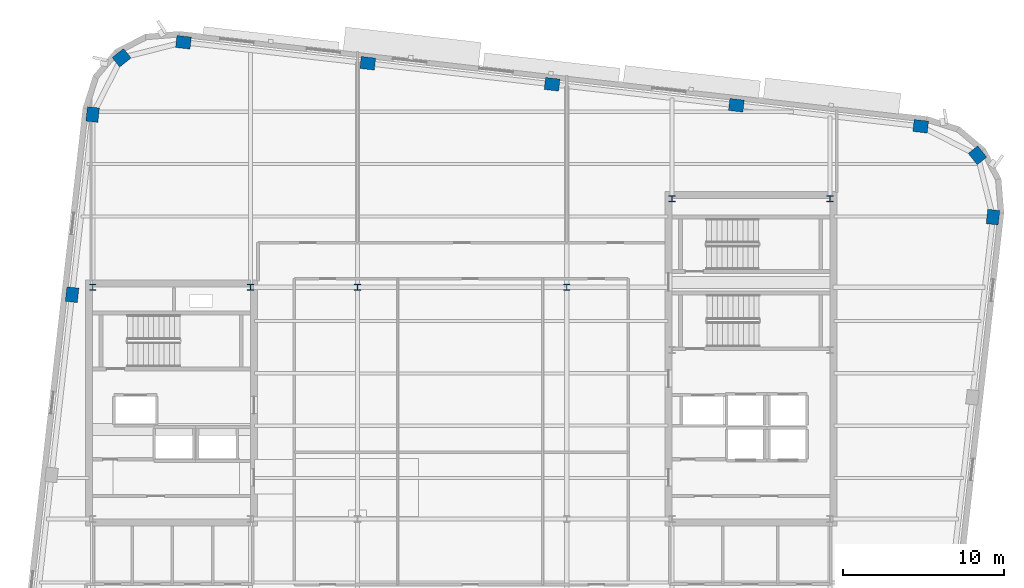
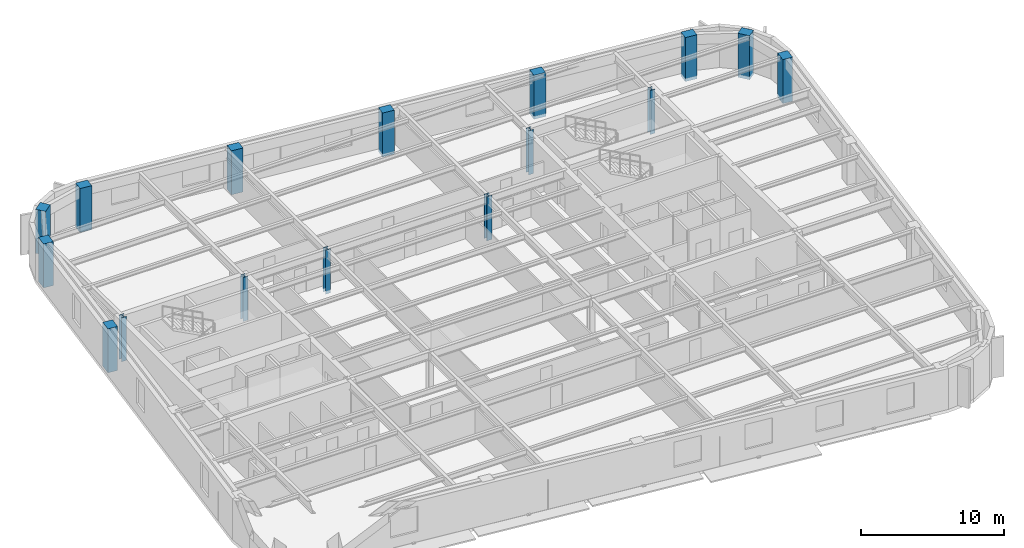
# One storey, part 2 of 14: 16 columns.
"""IFC4 building model written with IfcOpenShell, lengths in metres."""

from ifc_helpers import new_model, si_unit, direction, frame, origin, origin_2d, place, context, subcontext, project, spatial, rectangle, i_section, extrude, material, material_profile, profile_set, type_object, element, save


model = new_model("IFC4")

# Units and contexts
model_context = context("Model", 3, precision=1e-05, world=origin(), true_north=direction((0.0, 1.0)))
body_context = subcontext(model_context, "Body", "Model", "MODEL_VIEW")
ifc_project = project(units=[si_unit("LENGTHUNIT", "METRE"), si_unit("AREAUNIT", "SQUARE_METRE"), si_unit("VOLUMEUNIT", "CUBIC_METRE"), si_unit("PLANEANGLEUNIT", "RADIAN"), si_unit("MASSUNIT", "GRAM", prefix="KILO")], contexts=[model_context])

# Site, building, storey
site_placement = place(None, origin())
site = spatial("IfcSite", under=ifc_project, at=site_placement, CompositionType="ELEMENT")
building_placement = place(site_placement, origin())
building = spatial("IfcBuilding", under=site, at=building_placement, Name="Kolvaren Arena Tower", CompositionType="ELEMENT")
storey_placement = place(building_placement, frame((0.0, 0.0, 247.199951171875)))
storey = spatial("IfcBuildingStorey", under=building, at=storey_placement, Name="L60", CompositionType="ELEMENT", Elevation=247.199951171875)

# Columns
ifc_material_1 = material(Name="Precast concrete C55/67", Category="concrete")
ifc_material_profile_1 = material_profile(ifc_material_1, rectangle(XDim=0.89990234375, YDim=0.75, at=origin_2d()), Name="RC-900x750")
ifc_profile_set_1 = profile_set([ifc_material_profile_1], Name="Precast concrete C55/67")
column_type_1 = type_object("IfcColumnType", Name="EXCOL-Z4", PredefinedType="COLUMN", material=ifc_profile_set_1)
for number, where, z_axis, x_axis, name in (
    (1, (70.482177734375, 38.20458984375, -0.27001953125), (0.0, 0.0, 1.0), (0.113203213768, 0.993571855677, 0.0), "Exoskeleton Perimeter Column 10 (L60)"),
    (2, (69.519775390625, 42.047119140625, -0.27001953125), (0.0, 0.0, 1.0), (-0.622514636638, 0.782608156852, 0.0), "Exoskeleton Perimeter Column 11 (L60)"),
    (3, (65.9921875, 43.84912109375, -0.27001953125), (0.0, 0.0, 1.0), (0.993571855677, -0.113203213768, 0.0), "Exoskeleton Perimeter Column 12 (L60)"),
    (4, (54.54150390625, 45.15380859375, -0.27001953125), (0.0, 0.0, 1.0), (0.993571855677, -0.113203213768, 0.0), "Exoskeleton Perimeter Column 13 (L60)"),
    (5, (43.090576171875, 46.45849609375, -0.27001953125), (0.0, 0.0, 1.0), (0.993571855677, -0.113203213768, 0.0), "Exoskeleton Perimeter Column 14 (L60)"),
    (6, (31.6396484375, 47.76318359375, -0.27001953125), (0.0, 0.0, 1.0), (0.993571855677, -0.113203213768, 0.0), "Exoskeleton Perimeter Column 15 (L60)"),
    (7, (20.188720703125, 49.06787109375, -0.27001953125), (0.0, 0.0, 1.0), (0.993571855677, -0.113203213768, 0.0), "Exoskeleton Perimeter Column 16 (L60)"),
    (8, (16.34619140625, 48.10546875, -0.27001953125), (0.0, 0.0, 1.0), (0.782608156852, 0.622514636638, 0.0), "Exoskeleton Perimeter Column 17 (L60)"),
    (9, (14.544189453125, 44.577880859375, -0.27001953125), (0.0, 0.0, 1.0), (0.113203213768, 0.993571855677, 0.0), "Exoskeleton Perimeter Column 18 (L60)"),
    (10, (13.268798828125, 33.3837890625, -0.27001953125), (0.0, 0.0, 1.0), (0.113203213768, 0.993571855677, 0.0), "Exoskeleton Perimeter Column 19 (L60)"),
):
    element("IfcColumn", number, at=place(storey_placement, frame(where, z_axis=z_axis, x_axis=x_axis)), inside=storey, type_object=column_type_1, Name=name, PredefinedType="COLUMN", context=body_context, shape_type="SweptSolid", body=[
        extrude(rectangle(XDim=0.89990234375, YDim=0.75, at=origin_2d()), origin(), (0.0, 0.0, 1.0), 3.75),
    ])
ifc_material_2 = material(Name="Steel ASTM A913 Grade 65", Category="steel")
ifc_material_profile_2 = material_profile(ifc_material_2, i_section(OverallWidth=0.39892578125, OverallDepth=0.39306640625, WebThickness=0.022705078125, FlangeThickness=0.03662109375, FilletRadius=0.02001953125, at=origin_2d()), Name="W360x287")
ifc_profile_set_2 = profile_set([ifc_material_profile_2], Name="Steel ASTM A913 Grade 65")
column_type_2 = type_object("IfcColumnType", Name="SCOL-Z4", PredefinedType="COLUMN", material=ifc_profile_set_2)
for number, where, z_axis, x_axis, name in (
    (11, (14.550048828125, 33.85009765625, -0.27001953125), (0.0, 0.0, 1.0), (1.0, 0.0, 0.0), "Core Boundary Column WC-NW (L60)"),
    (12, (24.35009765625, 33.85009765625, -0.27001953125), (0.0, 0.0, 1.0), (1.0, 0.0, 0.0), "Core Boundary Column WC-NE (L60)"),
    (13, (50.550048828125, 39.35009765625, -0.27001953125), (0.0, 0.0, 1.0), (1.0, 0.0, 0.0), "Core Boundary Column EC-NW (L60)"),
    (14, (60.35009765625, 39.35009765625, -0.27001953125), (0.0, 0.0, 1.0), (1.0, 0.0, 0.0), "Core Boundary Column EC-NE (L60)"),
    (15, (31.0, 33.85009765625, -0.27001953125), (0.0, 0.0, 1.0), (1.0, 0.0, 0.0), "Interior Gravity Column TC-NW (L60)"),
    (16, (44.0, 33.85009765625, -0.27001953125), (0.0, 0.0, 1.0), (1.0, 0.0, 0.0), "Interior Gravity Column TC-NE (L60)"),
):
    element("IfcColumn", number, at=place(storey_placement, frame(where, z_axis=z_axis, x_axis=x_axis)), inside=storey, type_object=column_type_2, Name=name, PredefinedType="COLUMN", context=body_context, shape_type="SweptSolid", body=[
        extrude(i_section(OverallWidth=0.39892578125, OverallDepth=0.39306640625, WebThickness=0.022705078125, FlangeThickness=0.03662109375, FilletRadius=0.02001953125, at=origin_2d()), origin(), (0.0, 0.0, 1.0), 3.75),
    ])

save(model, "model.ifc")
